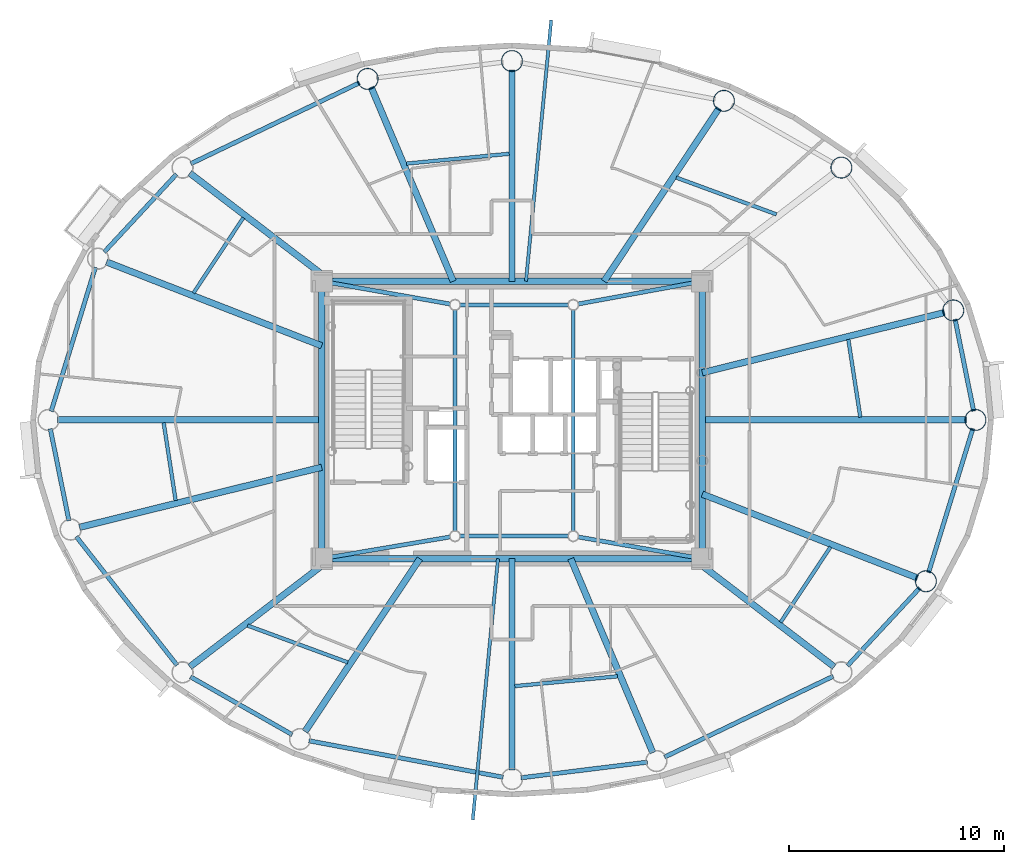
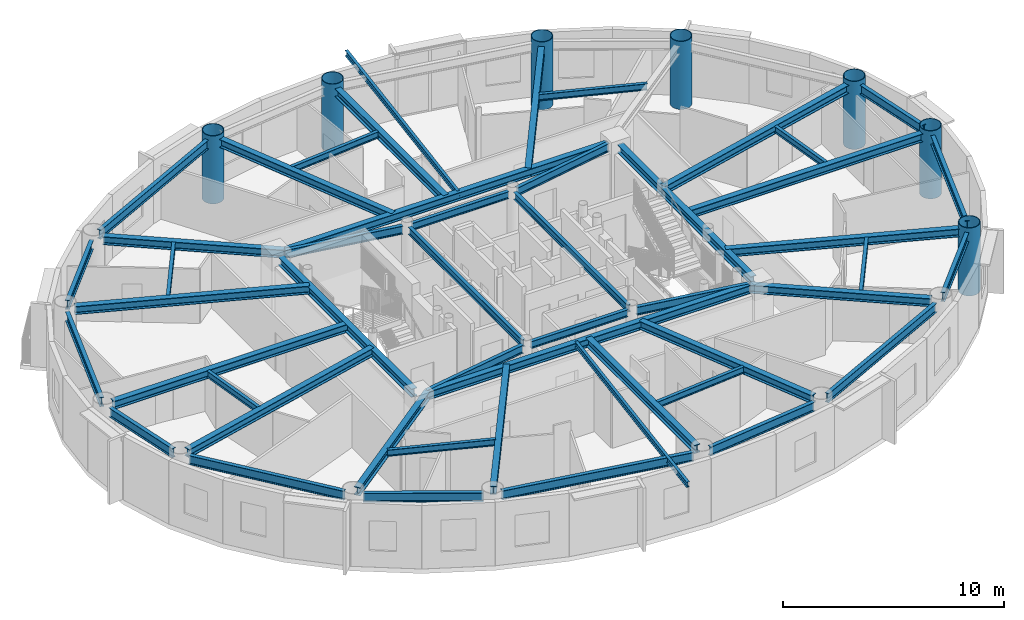
# One storey, part 2 of 17: 49 beams, 7 columns.
"""IFC4 building model written with IfcOpenShell, lengths in metres."""

from ifc_helpers import new_model, si_unit, direction, frame, origin, origin_2d, place, context, subcontext, project, spatial, hollow_circle, i_section, extrude, material, material_profile, profile_set, type_object, element, save


model = new_model("IFC4")

# Units and contexts
model_context = context("Model", 3, precision=1e-05, world=origin(), true_north=direction((0.0, 1.0)))
body_context = subcontext(model_context, "Body", "Model", "MODEL_VIEW")
ifc_project = project(units=[si_unit("LENGTHUNIT", "METRE"), si_unit("AREAUNIT", "SQUARE_METRE"), si_unit("VOLUMEUNIT", "CUBIC_METRE"), si_unit("PLANEANGLEUNIT", "RADIAN"), si_unit("MASSUNIT", "GRAM", prefix="KILO")], contexts=[model_context])

# Site, building, storey
site_placement = place(None, origin())
site = spatial("IfcSite", under=ifc_project, at=site_placement, CompositionType="ELEMENT")
building_placement = place(site_placement, origin())
building = spatial("IfcBuilding", under=site, at=building_placement, Name="Linh Dai School and Residence Tower", CompositionType="ELEMENT")
storey_placement = place(building_placement, frame((0.0, 0.0, 284.25)))
storey = spatial("IfcBuildingStorey", under=building, at=storey_placement, Name="L70", CompositionType="ELEMENT", Elevation=284.25)

# Columns
ifc_material = material(Name="Structural Steel S355JR", Category="steel")
ifc_material_profile_1 = material_profile(ifc_material, hollow_circle(Radius=0.5, WallThickness=0.031982421875, at=origin_2d()), Name="CHS 1000x32")
ifc_profile_set_1 = profile_set([ifc_material_profile_1], Name="Structural Steel S355JR")
column_type = type_object("IfcColumnType", Name="COL-MC6", PredefinedType="COLUMN", material=ifc_profile_set_1)
for number, where, z_axis, x_axis, name in (
    (1, (57.550048828125, 27.0, 0.0), (0.0, 0.0, 1.0), (1.0, 0.0, 0.0), "L70 Perimeter CFT Mega-Column MC01"),
    (2, (56.5185546875, 32.094482421875, 0.0), (0.0, 0.0, 1.0), (1.0, 0.0, 0.0), "L70 Perimeter CFT Mega-Column MC02"),
    (3, (51.315185546875, 38.7333984375, 0.0), (0.0, 0.0, 1.0), (1.0, 0.0, 0.0), "L70 Perimeter CFT Mega-Column MC03"),
    (4, (45.8544921875, 41.8388671875, 0.0), (0.0, 0.0, 1.0), (1.0, 0.0, 0.0), "L70 Perimeter CFT Mega-Column MC04"),
    (5, (36.0, 43.68994140625, 0.0), (0.0, 0.0, 1.0), (1.0, 0.0, 0.0), "L70 Perimeter CFT Mega-Column MC05"),
    (6, (29.28759765625, 42.857666015625, 0.0), (0.0, 0.0, 1.0), (1.0, 0.0, 0.0), "L70 Perimeter CFT Mega-Column MC06"),
    (7, (55.24609375, 19.50048828125, 0.0), (0.0, 0.0, 1.0), (1.0, 0.0, 0.0), "L70 Perimeter CFT Mega-Column MC16"),
):
    element("IfcColumn", number, at=place(storey_placement, frame(where, z_axis=z_axis, x_axis=x_axis)), inside=storey, type_object=column_type, Name=name, PredefinedType="COLUMN", context=body_context, shape_type="SweptSolid", body=[
        extrude(hollow_circle(Radius=0.5, WallThickness=0.031982421875, at=origin_2d()), origin(), (0.0, 0.0, 1.0), 3.75),
    ])

# Beams
ifc_material_profile_2 = material_profile(ifc_material, i_section(OverallWidth=0.14990234375, OverallDepth=0.300048828125, WebThickness=0.007080078125, FlangeThickness=0.0107421875, at=origin_2d()), Name="IPE 300")
ifc_profile_set_2 = profile_set([ifc_material_profile_2], Name="Structural Steel S355JR")
beam_type_1 = type_object("IfcBeamType", Name="BM-BALC-CANT", PredefinedType="BEAM", material=ifc_profile_set_2)
for number, where, z_axis, x_axis, name in (
    (8, (36.650146484375, 33.449951171875, 3.35009765625), (0.09620136859, 0.995361892319, 0.0), (-0.995361892319, 0.09620136859, 0.0), "L71 Balcony Continuous Cantilever Beam 10"),
    (9, (35.349853515625, 20.550048828125, 3.35009765625), (-0.09620136859, -0.995361892319, 0.0), (0.995361892319, -0.09620136859, 0.0), "L71 Balcony Continuous Cantilever Beam 30"),
):
    element("IfcBeam", number, at=place(storey_placement, frame(where, z_axis=z_axis, x_axis=x_axis)), inside=storey, type_object=beam_type_1, Name=name, PredefinedType="BEAM", context=body_context, shape_type="SweptSolid", body=[
        extrude(i_section(OverallWidth=0.14990234375, OverallDepth=0.300048828125, WebThickness=0.007080078125, FlangeThickness=0.0107421875, at=origin_2d()), origin(), (0.0, 0.0, 1.0), 12.19677734375),
    ])
ifc_material_profile_3 = material_profile(ifc_material, i_section(OverallWidth=0.199951171875, OverallDepth=0.5, WebThickness=0.01025390625, FlangeThickness=0.01611328125, FilletRadius=0.02099609375, at=origin_2d()), Name="IPE 500")
ifc_profile_set_3 = profile_set([ifc_material_profile_3], Name="Structural Steel S355JR")
beam_type_2 = type_object("IfcBeamType", Name="BM-RB50", PredefinedType="BEAM", material=ifc_profile_set_3)
beam_1_placement = place(storey_placement, frame((57.466552734375, 27.41162109375, 3.25), z_axis=(-0.198442801529, 0.980112470343, 0.0), x_axis=(-0.980112470343, -0.198442801529, 0.0)))
element("IfcBeam", 10, at=beam_1_placement, inside=storey, type_object=beam_type_2, Name="L70 Perimeter Elliptical Ring Beam 01", PredefinedType="BEAM", context=body_context, shape_type="SweptSolid", body=[
    extrude(i_section(OverallWidth=0.199951171875, OverallDepth=0.5, WebThickness=0.01025390625, FlangeThickness=0.01611328125, FilletRadius=0.02099609375, at=origin_2d()), origin(), (0.0, 0.0, 1.0), 4.357666015625),
])
beam_2_placement = place(storey_placement, frame((28.908935546875, 42.67626953125, 3.25), z_axis=(-0.901728757887, -0.4323022637, 0.0), x_axis=(0.4323022637, -0.901728757887, 0.0)))
element("IfcBeam", 11, at=beam_2_placement, inside=storey, type_object=beam_type_2, Name="L70 Perimeter Elliptical Ring Beam 06", PredefinedType="BEAM", context=body_context, shape_type="SweptSolid", body=[
    extrude(i_section(OverallWidth=0.199951171875, OverallDepth=0.5, WebThickness=0.01025390625, FlangeThickness=0.01611328125, FilletRadius=0.02099609375, at=origin_2d()), origin(), (0.0, 0.0, 1.0), 8.700439453125),
])
beam_3_placement = place(storey_placement, frame((20.399169921875, 38.425537109375, 3.25), z_axis=(-0.680415064526, -0.7328269509, 0.0), x_axis=(0.7328269509, -0.680415064526, 0.0)))
element("IfcBeam", 12, at=beam_3_placement, inside=storey, type_object=beam_type_2, Name="L70 Perimeter Elliptical Ring Beam 07", PredefinedType="BEAM", context=body_context, shape_type="SweptSolid", body=[
    extrude(i_section(OverallWidth=0.199951171875, OverallDepth=0.5, WebThickness=0.01025390625, FlangeThickness=0.01611328125, FilletRadius=0.02099609375, at=origin_2d()), origin(), (0.0, 0.0, 1.0), 4.9375),
])
beam_4_placement = place(storey_placement, frame((16.630615234375, 34.097900390625, 3.25), z_axis=(-0.293681749834, -0.955903253376, 0.0), x_axis=(0.955903253376, -0.293681749834, 0.0)))
element("IfcBeam", 13, at=beam_4_placement, inside=storey, type_object=beam_type_2, Name="L70 Perimeter Elliptical Ring Beam 08", PredefinedType="BEAM", context=body_context, shape_type="SweptSolid", body=[
    extrude(i_section(OverallWidth=0.199951171875, OverallDepth=0.5, WebThickness=0.01025390625, FlangeThickness=0.01611328125, FilletRadius=0.02099609375, at=origin_2d()), origin(), (0.0, 0.0, 1.0), 7.00537109375),
])
beam_5_placement = place(storey_placement, frame((14.533447265625, 26.58837890625, 3.25), z_axis=(0.198442801529, -0.980112470343, 0.0), x_axis=(0.980112470343, 0.198442801529, 0.0)))
element("IfcBeam", 14, at=beam_5_placement, inside=storey, type_object=beam_type_2, Name="L70 Perimeter Elliptical Ring Beam 09", PredefinedType="BEAM", context=body_context, shape_type="SweptSolid", body=[
    extrude(i_section(OverallWidth=0.199951171875, OverallDepth=0.5, WebThickness=0.01025390625, FlangeThickness=0.01611328125, FilletRadius=0.02099609375, at=origin_2d()), origin(), (0.0, 0.0, 1.0), 4.357666015625),
])
beam_6_placement = place(storey_placement, frame((15.740478515625, 21.574951171875, 3.25), z_axis=(0.616882739554, -0.787055071542, 0.0), x_axis=(0.787055071542, 0.616882739554, 0.0)))
element("IfcBeam", 15, at=beam_6_placement, inside=storey, type_object=beam_type_2, Name="L70 Perimeter Elliptical Ring Beam 10", PredefinedType="BEAM", context=body_context, shape_type="SweptSolid", body=[
    extrude(i_section(OverallWidth=0.199951171875, OverallDepth=0.5, WebThickness=0.01025390625, FlangeThickness=0.01611328125, FilletRadius=0.02099609375, at=origin_2d()), origin(), (0.0, 0.0, 1.0), 7.59521484375),
])
beam_7_placement = place(storey_placement, frame((21.050048828125, 15.05908203125, 3.25), z_axis=(0.869265548778, -0.494345431564, 0.0), x_axis=(0.494345431564, 0.869265548778, 0.0)))
element("IfcBeam", 16, at=beam_7_placement, inside=storey, type_object=beam_type_2, Name="L70 Perimeter Elliptical Ring Beam 11", PredefinedType="BEAM", context=body_context, shape_type="SweptSolid", body=[
    extrude(i_section(OverallWidth=0.199951171875, OverallDepth=0.5, WebThickness=0.01025390625, FlangeThickness=0.01611328125, FilletRadius=0.02099609375, at=origin_2d()), origin(), (0.0, 0.0, 1.0), 5.44189453125),
])
beam_8_placement = place(storey_placement, frame((26.558349609375, 12.083740234375, 3.25), z_axis=(0.982805333306, -0.184644731378, 0.0), x_axis=(0.184644731378, 0.982805333306, 0.0)))
element("IfcBeam", 17, at=beam_8_placement, inside=storey, type_object=beam_type_2, Name="L70 Perimeter Elliptical Ring Beam 12", PredefinedType="BEAM", context=body_context, shape_type="SweptSolid", body=[
    extrude(i_section(OverallWidth=0.199951171875, OverallDepth=0.5, WebThickness=0.01025390625, FlangeThickness=0.01611328125, FilletRadius=0.02099609375, at=origin_2d()), origin(), (0.0, 0.0, 1.0), 9.186767578125),
])
beam_9_placement = place(storey_placement, frame((36.416748046875, 10.361572265625, 3.25), z_axis=(0.992399134443, 0.123060789678, 0.0), x_axis=(-0.123060789678, 0.992399134443, 0.0)))
element("IfcBeam", 18, at=beam_9_placement, inside=storey, type_object=beam_type_2, Name="L70 Perimeter Elliptical Ring Beam 13", PredefinedType="BEAM", context=body_context, shape_type="SweptSolid", body=[
    extrude(i_section(OverallWidth=0.199951171875, OverallDepth=0.5, WebThickness=0.01025390625, FlangeThickness=0.01611328125, FilletRadius=0.02099609375, at=origin_2d()), origin(), (0.0, 0.0, 1.0), 5.923828125),
])
beam_10_placement = place(storey_placement, frame((43.091064453125, 11.32373046875, 3.25), z_axis=(0.901728757887, 0.4323022637, 0.0), x_axis=(-0.4323022637, 0.901728757887, 0.0)))
element("IfcBeam", 19, at=beam_10_placement, inside=storey, type_object=beam_type_2, Name="L70 Perimeter Elliptical Ring Beam 14", PredefinedType="BEAM", context=body_context, shape_type="SweptSolid", body=[
    extrude(i_section(OverallWidth=0.199951171875, OverallDepth=0.5, WebThickness=0.01025390625, FlangeThickness=0.01611328125, FilletRadius=0.02099609375, at=origin_2d()), origin(), (0.0, 0.0, 1.0), 8.700439453125),
])
beam_11_placement = place(storey_placement, frame((51.600830078125, 15.574462890625, 3.25), z_axis=(0.680415064526, 0.7328269509, 0.0), x_axis=(-0.7328269509, 0.680415064526, 0.0)))
element("IfcBeam", 20, at=beam_11_placement, inside=storey, type_object=beam_type_2, Name="L70 Perimeter Elliptical Ring Beam 15", PredefinedType="BEAM", context=body_context, shape_type="SweptSolid", body=[
    extrude(i_section(OverallWidth=0.199951171875, OverallDepth=0.5, WebThickness=0.01025390625, FlangeThickness=0.01611328125, FilletRadius=0.02099609375, at=origin_2d()), origin(), (0.0, 0.0, 1.0), 4.9375),
])
beam_12_placement = place(storey_placement, frame((55.369384765625, 19.902099609375, 3.25), z_axis=(0.293681749834, 0.955903253376, 0.0), x_axis=(-0.955903253376, 0.293681749834, 0.0)))
element("IfcBeam", 21, at=beam_12_placement, inside=storey, type_object=beam_type_2, Name="L70 Perimeter Elliptical Ring Beam 16", PredefinedType="BEAM", context=body_context, shape_type="SweptSolid", body=[
    extrude(i_section(OverallWidth=0.199951171875, OverallDepth=0.5, WebThickness=0.01025390625, FlangeThickness=0.01611328125, FilletRadius=0.02099609375, at=origin_2d()), origin(), (0.0, 0.0, 1.0), 7.00537109375),
])
ifc_material_profile_4 = material_profile(ifc_material, i_section(OverallWidth=0.300048828125, OverallDepth=0.449951171875, WebThickness=0.013916015625, FlangeThickness=0.02587890625, FilletRadius=0.027099609375, at=origin_2d()), Name="HEB 450")
ifc_profile_set_4 = profile_set([ifc_material_profile_4], Name="Structural Steel S355JR")
beam_type_3 = type_object("IfcBeamType", Name="BM-RG45", PredefinedType="BEAM", material=ifc_profile_set_4)
beam_13_placement = place(storey_placement, frame((27.570068359375, 20.550048828125, 3.27490234375), z_axis=(1.0, 0.0, 0.0), x_axis=(0.0, 1.0, 0.0)))
element("IfcBeam", 22, at=beam_13_placement, inside=storey, type_object=beam_type_3, Name="L70 Core Perimeter Coupling Girder 1", PredefinedType="BEAM", context=body_context, shape_type="SweptSolid", body=[
    extrude(i_section(OverallWidth=0.300048828125, OverallDepth=0.449951171875, WebThickness=0.013916015625, FlangeThickness=0.02587890625, FilletRadius=0.027099609375, at=origin_2d()), origin(), (0.0, 0.0, 1.0), 16.85986328125),
])
beam_14_placement = place(storey_placement, frame((44.85009765625, 20.969970703125, 3.27490234375), z_axis=(0.0, 1.0, 0.0), x_axis=(-1.0, 0.0, 0.0)))
element("IfcBeam", 23, at=beam_14_placement, inside=storey, type_object=beam_type_3, Name="L70 Core Perimeter Coupling Girder 2", PredefinedType="BEAM", context=body_context, shape_type="SweptSolid", body=[
    extrude(i_section(OverallWidth=0.300048828125, OverallDepth=0.449951171875, WebThickness=0.013916015625, FlangeThickness=0.02587890625, FilletRadius=0.027099609375, at=origin_2d()), origin(), (0.0, 0.0, 1.0), 12.06005859375),
])
beam_15_placement = place(storey_placement, frame((44.429931640625, 33.449951171875, 3.27490234375), z_axis=(-1.0, 0.0, 0.0), x_axis=(0.0, -1.0, 0.0)))
element("IfcBeam", 24, at=beam_15_placement, inside=storey, type_object=beam_type_3, Name="L70 Core Perimeter Coupling Girder 3", PredefinedType="BEAM", context=body_context, shape_type="SweptSolid", body=[
    extrude(i_section(OverallWidth=0.300048828125, OverallDepth=0.449951171875, WebThickness=0.013916015625, FlangeThickness=0.02587890625, FilletRadius=0.027099609375, at=origin_2d()), origin(), (0.0, 0.0, 1.0), 16.85986328125),
])
beam_16_placement = place(storey_placement, frame((27.14990234375, 33.030029296875, 3.27490234375), z_axis=(0.0, -1.0, 0.0), x_axis=(1.0, 0.0, 0.0)))
element("IfcBeam", 25, at=beam_16_placement, inside=storey, type_object=beam_type_3, Name="L70 Core Perimeter Coupling Girder 4", PredefinedType="BEAM", context=body_context, shape_type="SweptSolid", body=[
    extrude(i_section(OverallWidth=0.300048828125, OverallDepth=0.449951171875, WebThickness=0.013916015625, FlangeThickness=0.02587890625, FilletRadius=0.027099609375, at=origin_2d()), origin(), (0.0, 0.0, 1.0), 12.06005859375),
])
beam_17_placement = place(storey_placement, frame((44.85009765625, 27.0, 3.27490234375), z_axis=(1.0, 0.0, 0.0), x_axis=(0.0, 1.0, 0.0)))
element("IfcBeam", 26, at=beam_17_placement, inside=storey, type_object=beam_type_3, Name="L70 Primary Radial Floor Girder 01", PredefinedType="BEAM", context=body_context, shape_type="SweptSolid", body=[
    extrude(i_section(OverallWidth=0.300048828125, OverallDepth=0.449951171875, WebThickness=0.013916015625, FlangeThickness=0.02587890625, FilletRadius=0.027099609375, at=origin_2d()), origin(), (0.0, 0.0, 1.0), 12.27978515625),
])
beam_18_placement = place(storey_placement, frame((44.85009765625, 29.197265625, 3.27490234375), z_axis=(0.970532368701, 0.240970789315, 0.0), x_axis=(-0.240970789315, 0.970532368701, 0.0)))
element("IfcBeam", 27, at=beam_18_placement, inside=storey, type_object=beam_type_3, Name="L70 Primary Radial Floor Girder 02", PredefinedType="BEAM", context=body_context, shape_type="SweptSolid", body=[
    extrude(i_section(OverallWidth=0.300048828125, OverallDepth=0.449951171875, WebThickness=0.013916015625, FlangeThickness=0.02587890625, FilletRadius=0.027099609375, at=origin_2d()), origin(), (0.0, 0.0, 1.0), 11.6025390625),
])
beam_19_placement = place(storey_placement, frame((40.283447265625, 33.449951171875, 3.27490234375), z_axis=(0.553210566646, 0.833041456922, 0.0), x_axis=(-0.833041456922, 0.553210566646, 0.0)))
element("IfcBeam", 28, at=beam_19_placement, inside=storey, type_object=beam_type_3, Name="L70 Primary Radial Floor Girder 04", PredefinedType="BEAM", context=body_context, shape_type="SweptSolid", body=[
    extrude(i_section(OverallWidth=0.300048828125, OverallDepth=0.449951171875, WebThickness=0.013916015625, FlangeThickness=0.02587890625, FilletRadius=0.027099609375, at=origin_2d()), origin(), (0.0, 0.0, 1.0), 9.650146484375),
])
beam_20_placement = place(storey_placement, frame((36.0, 33.449951171875, 3.27490234375), z_axis=(0.0, 1.0, 0.0), x_axis=(-1.0, 0.0, 0.0)))
element("IfcBeam", 29, at=beam_20_placement, inside=storey, type_object=beam_type_3, Name="L70 Primary Radial Floor Girder 05", PredefinedType="BEAM", context=body_context, shape_type="SweptSolid", body=[
    extrude(i_section(OverallWidth=0.300048828125, OverallDepth=0.449951171875, WebThickness=0.013916015625, FlangeThickness=0.02587890625, FilletRadius=0.027099609375, at=origin_2d()), origin(), (0.0, 0.0, 1.0), 9.820068359375),
])
beam_21_placement = place(storey_placement, frame((33.269775390625, 33.449951171875, 3.27490234375), z_axis=(-0.389794463678, 0.920901881899, 0.0), x_axis=(-0.920901881899, -0.389794463678, 0.0)))
element("IfcBeam", 30, at=beam_21_placement, inside=storey, type_object=beam_type_3, Name="L70 Primary Radial Floor Girder 06", PredefinedType="BEAM", context=body_context, shape_type="SweptSolid", body=[
    extrude(i_section(OverallWidth=0.300048828125, OverallDepth=0.449951171875, WebThickness=0.013916015625, FlangeThickness=0.02587890625, FilletRadius=0.027099609375, at=origin_2d()), origin(), (0.0, 0.0, 1.0), 9.7958984375),
])
beam_22_placement = place(storey_placement, frame((27.5810546875, 33.449951171875, 3.27490234375), z_axis=(-0.793802616583, 0.608175472956, 0.0), x_axis=(-0.608175472956, -0.793802616583, 0.0)))
element("IfcBeam", 31, at=beam_22_placement, inside=storey, type_object=beam_type_3, Name="L70 Primary Radial Floor Girder 07", PredefinedType="BEAM", context=body_context, shape_type="SweptSolid", body=[
    extrude(i_section(OverallWidth=0.300048828125, OverallDepth=0.449951171875, WebThickness=0.013916015625, FlangeThickness=0.02587890625, FilletRadius=0.027099609375, at=origin_2d()), origin(), (0.0, 0.0, 1.0), 8.267578125),
])
beam_23_placement = place(storey_placement, frame((27.14990234375, 30.448486328125, 3.27490234375), z_axis=(-0.931760809838, 0.363072710693, 0.0), x_axis=(-0.363072710693, -0.931760809838, 0.0)))
element("IfcBeam", 32, at=beam_23_placement, inside=storey, type_object=beam_type_3, Name="L70 Primary Radial Floor Girder 08", PredefinedType="BEAM", context=body_context, shape_type="SweptSolid", body=[
    extrude(i_section(OverallWidth=0.300048828125, OverallDepth=0.449951171875, WebThickness=0.013916015625, FlangeThickness=0.02587890625, FilletRadius=0.027099609375, at=origin_2d()), origin(), (0.0, 0.0, 1.0), 10.7373046875),
])
beam_24_placement = place(storey_placement, frame((27.14990234375, 27.0, 3.27490234375), z_axis=(-1.0, 0.0, 0.0), x_axis=(0.0, -1.0, 0.0)))
element("IfcBeam", 33, at=beam_24_placement, inside=storey, type_object=beam_type_3, Name="L70 Primary Radial Floor Girder 09", PredefinedType="BEAM", context=body_context, shape_type="SweptSolid", body=[
    extrude(i_section(OverallWidth=0.300048828125, OverallDepth=0.449951171875, WebThickness=0.013916015625, FlangeThickness=0.02587890625, FilletRadius=0.027099609375, at=origin_2d()), origin(), (0.0, 0.0, 1.0), 12.27978515625),
])
beam_25_placement = place(storey_placement, frame((27.14990234375, 24.802734375, 3.27490234375), z_axis=(-0.970532368701, -0.240970789315, 0.0), x_axis=(0.240970789315, -0.970532368701, 0.0)))
element("IfcBeam", 34, at=beam_25_placement, inside=storey, type_object=beam_type_3, Name="L70 Primary Radial Floor Girder 10", PredefinedType="BEAM", context=body_context, shape_type="SweptSolid", body=[
    extrude(i_section(OverallWidth=0.300048828125, OverallDepth=0.449951171875, WebThickness=0.013916015625, FlangeThickness=0.02587890625, FilletRadius=0.027099609375, at=origin_2d()), origin(), (0.0, 0.0, 1.0), 11.6025390625),
])
beam_26_placement = place(storey_placement, frame((27.5810546875, 20.550048828125, 3.27490234375), z_axis=(-0.793802616583, -0.608175472956, 0.0), x_axis=(0.608175472956, -0.793802616583, 0.0)))
element("IfcBeam", 35, at=beam_26_placement, inside=storey, type_object=beam_type_3, Name="L70 Primary Radial Floor Girder 11", PredefinedType="BEAM", context=body_context, shape_type="SweptSolid", body=[
    extrude(i_section(OverallWidth=0.300048828125, OverallDepth=0.449951171875, WebThickness=0.013916015625, FlangeThickness=0.02587890625, FilletRadius=0.027099609375, at=origin_2d()), origin(), (0.0, 0.0, 1.0), 8.267578125),
])
beam_27_placement = place(storey_placement, frame((31.716552734375, 20.550048828125, 3.27490234375), z_axis=(-0.553210566646, -0.833041456922, 0.0), x_axis=(0.833041456922, -0.553210566646, 0.0)))
element("IfcBeam", 36, at=beam_27_placement, inside=storey, type_object=beam_type_3, Name="L70 Primary Radial Floor Girder 12", PredefinedType="BEAM", context=body_context, shape_type="SweptSolid", body=[
    extrude(i_section(OverallWidth=0.300048828125, OverallDepth=0.449951171875, WebThickness=0.013916015625, FlangeThickness=0.02587890625, FilletRadius=0.027099609375, at=origin_2d()), origin(), (0.0, 0.0, 1.0), 9.650146484375),
])
beam_28_placement = place(storey_placement, frame((36.0, 20.550048828125, 3.27490234375), z_axis=(0.0, -1.0, 0.0), x_axis=(1.0, 0.0, 0.0)))
element("IfcBeam", 37, at=beam_28_placement, inside=storey, type_object=beam_type_3, Name="L70 Primary Radial Floor Girder 13", PredefinedType="BEAM", context=body_context, shape_type="SweptSolid", body=[
    extrude(i_section(OverallWidth=0.300048828125, OverallDepth=0.449951171875, WebThickness=0.013916015625, FlangeThickness=0.02587890625, FilletRadius=0.027099609375, at=origin_2d()), origin(), (0.0, 0.0, 1.0), 9.820068359375),
])
beam_29_placement = place(storey_placement, frame((38.730224609375, 20.550048828125, 3.27490234375), z_axis=(0.389794463678, -0.920901881899, 0.0), x_axis=(0.920901881899, 0.389794463678, 0.0)))
element("IfcBeam", 38, at=beam_29_placement, inside=storey, type_object=beam_type_3, Name="L70 Primary Radial Floor Girder 14", PredefinedType="BEAM", context=body_context, shape_type="SweptSolid", body=[
    extrude(i_section(OverallWidth=0.300048828125, OverallDepth=0.449951171875, WebThickness=0.013916015625, FlangeThickness=0.02587890625, FilletRadius=0.027099609375, at=origin_2d()), origin(), (0.0, 0.0, 1.0), 9.7958984375),
])
beam_30_placement = place(storey_placement, frame((44.4189453125, 20.550048828125, 3.27490234375), z_axis=(0.793802616583, -0.608175472956, 0.0), x_axis=(0.608175472956, 0.793802616583, 0.0)))
element("IfcBeam", 39, at=beam_30_placement, inside=storey, type_object=beam_type_3, Name="L70 Primary Radial Floor Girder 15", PredefinedType="BEAM", context=body_context, shape_type="SweptSolid", body=[
    extrude(i_section(OverallWidth=0.300048828125, OverallDepth=0.449951171875, WebThickness=0.013916015625, FlangeThickness=0.02587890625, FilletRadius=0.027099609375, at=origin_2d()), origin(), (0.0, 0.0, 1.0), 8.267578125),
])
beam_31_placement = place(storey_placement, frame((44.85009765625, 23.551513671875, 3.27490234375), z_axis=(0.931760809838, -0.363072710693, 0.0), x_axis=(0.363072710693, 0.931760809838, 0.0)))
element("IfcBeam", 40, at=beam_31_placement, inside=storey, type_object=beam_type_3, Name="L70 Primary Radial Floor Girder 16", PredefinedType="BEAM", context=body_context, shape_type="SweptSolid", body=[
    extrude(i_section(OverallWidth=0.300048828125, OverallDepth=0.449951171875, WebThickness=0.013916015625, FlangeThickness=0.02587890625, FilletRadius=0.027099609375, at=origin_2d()), origin(), (0.0, 0.0, 1.0), 10.7373046875),
])
ifc_material_profile_5 = material_profile(ifc_material, i_section(OverallWidth=0.169921875, OverallDepth=0.360107421875, WebThickness=0.008056640625, FlangeThickness=0.0126953125, FilletRadius=0.01806640625, at=origin_2d()), Name="IPE 360")
ifc_profile_set_5 = profile_set([ifc_material_profile_5], Name="Structural Steel S355JR")
beam_type_4 = type_object("IfcBeamType", Name="BM-SB36", PredefinedType="BEAM", material=ifc_profile_set_5)
beam_32_placement = place(storey_placement, frame((52.1962890625, 27.12841796875, 3.320068359375), z_axis=(-0.152477826599, 0.988306891808, 0.0), x_axis=(-0.988306891808, -0.152477826599, 0.0)))
element("IfcBeam", 41, at=beam_32_placement, inside=storey, type_object=beam_type_4, Name="L70 Secondary Circumferential Floor Beam 01", PredefinedType="BEAM", context=body_context, shape_type="SweptSolid", body=[
    extrude(i_section(OverallWidth=0.169921875, OverallDepth=0.360107421875, WebThickness=0.008056640625, FlangeThickness=0.0126953125, FilletRadius=0.01806640625, at=origin_2d()), origin(), (0.0, 0.0, 1.0), 3.663330078125),
])
beam_33_placement = place(storey_placement, frame((48.296630859375, 36.55908203125, 3.320068359375), z_axis=(-0.93867853021, 0.344793585964, 0.0), x_axis=(-0.344793585964, -0.93867853021, 0.0)))
element("IfcBeam", 42, at=beam_33_placement, inside=storey, type_object=beam_type_4, Name="L70 Secondary Circumferential Floor Beam 02", PredefinedType="BEAM", context=body_context, shape_type="SweptSolid", body=[
    extrude(i_section(OverallWidth=0.169921875, OverallDepth=0.360107421875, WebThickness=0.008056640625, FlangeThickness=0.0126953125, FilletRadius=0.01806640625, at=origin_2d()), origin(), (0.0, 0.0, 1.0), 4.96435546875),
])
beam_34_placement = place(storey_placement, frame((35.87060546875, 39.376708984375, 3.320068359375), z_axis=(-0.995447598318, -0.09531043491, 0.0), x_axis=(0.09531043491, -0.995447598318, 0.0)))
element("IfcBeam", 43, at=beam_34_placement, inside=storey, type_object=beam_type_4, Name="L70 Secondary Circumferential Floor Beam 03", PredefinedType="BEAM", context=body_context, shape_type="SweptSolid", body=[
    extrude(i_section(OverallWidth=0.169921875, OverallDepth=0.360107421875, WebThickness=0.008056640625, FlangeThickness=0.0126953125, FilletRadius=0.01806640625, at=origin_2d()), origin(), (0.0, 0.0, 1.0), 4.802978515625),
])
beam_35_placement = place(storey_placement, frame((23.509521484375, 36.406005859375, 3.320068359375), z_axis=(-0.552120293776, -0.833764463863, 0.0), x_axis=(0.833764463863, -0.552120293776, 0.0)))
element("IfcBeam", 44, at=beam_35_placement, inside=storey, type_object=beam_type_4, Name="L70 Secondary Circumferential Floor Beam 04", PredefinedType="BEAM", context=body_context, shape_type="SweptSolid", body=[
    extrude(i_section(OverallWidth=0.169921875, OverallDepth=0.360107421875, WebThickness=0.008056640625, FlangeThickness=0.0126953125, FilletRadius=0.01806640625, at=origin_2d()), origin(), (0.0, 0.0, 1.0), 4.197265625),
])
beam_36_placement = place(storey_placement, frame((19.8037109375, 26.87158203125, 3.320068359375), z_axis=(0.152477826599, -0.988306891808, 0.0), x_axis=(0.988306891808, 0.152477826599, 0.0)))
element("IfcBeam", 45, at=beam_36_placement, inside=storey, type_object=beam_type_4, Name="L70 Secondary Circumferential Floor Beam 05", PredefinedType="BEAM", context=body_context, shape_type="SweptSolid", body=[
    extrude(i_section(OverallWidth=0.169921875, OverallDepth=0.360107421875, WebThickness=0.008056640625, FlangeThickness=0.0126953125, FilletRadius=0.01806640625, at=origin_2d()), origin(), (0.0, 0.0, 1.0), 3.663330078125),
])
beam_37_placement = place(storey_placement, frame((23.703369140625, 17.44091796875, 3.320068359375), z_axis=(0.93867853021, -0.344793585964, 0.0), x_axis=(0.344793585964, 0.93867853021, 0.0)))
element("IfcBeam", 46, at=beam_37_placement, inside=storey, type_object=beam_type_4, Name="L70 Secondary Circumferential Floor Beam 06", PredefinedType="BEAM", context=body_context, shape_type="SweptSolid", body=[
    extrude(i_section(OverallWidth=0.169921875, OverallDepth=0.360107421875, WebThickness=0.008056640625, FlangeThickness=0.0126953125, FilletRadius=0.01806640625, at=origin_2d()), origin(), (0.0, 0.0, 1.0), 4.96435546875),
])
beam_38_placement = place(storey_placement, frame((36.12939453125, 14.623291015625, 3.320068359375), z_axis=(0.995447598318, 0.09531043491, 0.0), x_axis=(-0.09531043491, 0.995447598318, 0.0)))
element("IfcBeam", 47, at=beam_38_placement, inside=storey, type_object=beam_type_4, Name="L70 Secondary Circumferential Floor Beam 07", PredefinedType="BEAM", context=body_context, shape_type="SweptSolid", body=[
    extrude(i_section(OverallWidth=0.169921875, OverallDepth=0.360107421875, WebThickness=0.008056640625, FlangeThickness=0.0126953125, FilletRadius=0.01806640625, at=origin_2d()), origin(), (0.0, 0.0, 1.0), 4.802978515625),
])
beam_39_placement = place(storey_placement, frame((48.490478515625, 17.593994140625, 3.320068359375), z_axis=(0.552120293776, 0.833764463863, 0.0), x_axis=(-0.833764463863, 0.552120293776, 0.0)))
element("IfcBeam", 48, at=beam_39_placement, inside=storey, type_object=beam_type_4, Name="L70 Secondary Circumferential Floor Beam 08", PredefinedType="BEAM", context=body_context, shape_type="SweptSolid", body=[
    extrude(i_section(OverallWidth=0.169921875, OverallDepth=0.360107421875, WebThickness=0.008056640625, FlangeThickness=0.0126953125, FilletRadius=0.01806640625, at=origin_2d()), origin(), (0.0, 0.0, 1.0), 4.197265625),
])
ifc_material_profile_6 = material_profile(ifc_material, i_section(OverallWidth=0.179931640625, OverallDepth=0.39990234375, WebThickness=0.008544921875, FlangeThickness=0.013427734375, FilletRadius=0.02099609375, at=origin_2d()), Name="IPE 400")
ifc_profile_set_6 = profile_set([ifc_material_profile_6], Name="Structural Steel S355JR")
beam_type_5 = type_object("IfcBeamType", Name="BM-SB40", PredefinedType="BEAM", material=ifc_profile_set_6)
beam_40_placement = place(storey_placement, frame((33.573974609375, 21.60009765625, 3.300048828125), z_axis=(1.0, 0.0, 0.0), x_axis=(0.0, 1.0, 0.0)))
element("IfcBeam", 49, at=beam_40_placement, inside=storey, type_object=beam_type_5, Name="L70 Core Mast Pier Tie Beam 1", PredefinedType="BEAM", context=body_context, shape_type="SweptSolid", body=[
    extrude(i_section(OverallWidth=0.179931640625, OverallDepth=0.39990234375, WebThickness=0.008544921875, FlangeThickness=0.013427734375, FilletRadius=0.02099609375, at=origin_2d()), origin(), (0.0, 0.0, 1.0), 5.052001953125),
])
beam_41_placement = place(storey_placement, frame((38.85009765625, 21.823974609375, 3.300048828125), z_axis=(0.0, 1.0, 0.0), x_axis=(-1.0, 0.0, 0.0)))
element("IfcBeam", 50, at=beam_41_placement, inside=storey, type_object=beam_type_5, Name="L70 Core Mast Pier Tie Beam 2", PredefinedType="BEAM", context=body_context, shape_type="SweptSolid", body=[
    extrude(i_section(OverallWidth=0.179931640625, OverallDepth=0.39990234375, WebThickness=0.008544921875, FlangeThickness=0.013427734375, FilletRadius=0.02099609375, at=origin_2d()), origin(), (0.0, 0.0, 1.0), 10.302001953125),
])
beam_42_placement = place(storey_placement, frame((38.6259765625, 32.35009765625, 3.300048828125), z_axis=(-1.0, 0.0, 0.0), x_axis=(0.0, -1.0, 0.0)))
element("IfcBeam", 51, at=beam_42_placement, inside=storey, type_object=beam_type_5, Name="L70 Core Mast Pier Tie Beam 3", PredefinedType="BEAM", context=body_context, shape_type="SweptSolid", body=[
    extrude(i_section(OverallWidth=0.179931640625, OverallDepth=0.39990234375, WebThickness=0.008544921875, FlangeThickness=0.013427734375, FilletRadius=0.02099609375, at=origin_2d()), origin(), (0.0, 0.0, 1.0), 5.052001953125),
])
beam_43_placement = place(storey_placement, frame((33.35009765625, 32.1259765625, 3.300048828125), z_axis=(0.0, -1.0, 0.0), x_axis=(1.0, 0.0, 0.0)))
element("IfcBeam", 52, at=beam_43_placement, inside=storey, type_object=beam_type_5, Name="L70 Core Mast Pier Tie Beam 4", PredefinedType="BEAM", context=body_context, shape_type="SweptSolid", body=[
    extrude(i_section(OverallWidth=0.179931640625, OverallDepth=0.39990234375, WebThickness=0.008544921875, FlangeThickness=0.013427734375, FilletRadius=0.02099609375, at=origin_2d()), origin(), (0.0, 0.0, 1.0), 10.302001953125),
])
ifc_material_profile_7 = material_profile(ifc_material, i_section(OverallWidth=0.18994140625, OverallDepth=0.449951171875, WebThickness=0.009521484375, FlangeThickness=0.0146484375, FilletRadius=0.02099609375, at=origin_2d()), Name="IPE 450")
ifc_profile_set_7 = profile_set([ifc_material_profile_7], Name="Structural Steel S355JR")
beam_type_6 = type_object("IfcBeamType", Name="BM-SB45", PredefinedType="BEAM", material=ifc_profile_set_7)
beam_44_placement = place(storey_placement, frame((27.564208984375, 20.6201171875, 3.27490234375), z_axis=(0.98596270559, 0.166965694638, 0.0), x_axis=(-0.166965694638, 0.98596270559, 0.0)))
element("IfcBeam", 53, at=beam_44_placement, inside=storey, type_object=beam_type_6, Name="L70 Core Corner-to-Mast Pier Beam 1", PredefinedType="BEAM", context=body_context, shape_type="SweptSolid", body=[
    extrude(i_section(OverallWidth=0.18994140625, OverallDepth=0.449951171875, WebThickness=0.009521484375, FlangeThickness=0.0146484375, FilletRadius=0.02099609375, at=origin_2d()), origin(), (0.0, 0.0, 1.0), 5.644287109375),
])
beam_45_placement = place(storey_placement, frame((44.436279296875, 20.622314453125, 3.27490234375), z_axis=(-0.985031608673, 0.17237380867, 0.0), x_axis=(-0.17237380867, -0.985031608673, 0.0)))
element("IfcBeam", 54, at=beam_45_placement, inside=storey, type_object=beam_type_6, Name="L70 Core Corner-to-Mast Pier Beam 2", PredefinedType="BEAM", context=body_context, shape_type="SweptSolid", body=[
    extrude(i_section(OverallWidth=0.18994140625, OverallDepth=0.449951171875, WebThickness=0.009521484375, FlangeThickness=0.0146484375, FilletRadius=0.02099609375, at=origin_2d()), origin(), (0.0, 0.0, 1.0), 5.447265625),
])
beam_46_placement = place(storey_placement, frame((44.436767578125, 33.374267578125, 3.27490234375), z_axis=(-0.983605366802, -0.180334362777, 0.0), x_axis=(0.180334362777, -0.983605366802, 0.0)))
element("IfcBeam", 55, at=beam_46_placement, inside=storey, type_object=beam_type_6, Name="L70 Core Corner-to-Mast Pier Beam 3", PredefinedType="BEAM", context=body_context, shape_type="SweptSolid", body=[
    extrude(i_section(OverallWidth=0.18994140625, OverallDepth=0.449951171875, WebThickness=0.009521484375, FlangeThickness=0.0146484375, FilletRadius=0.02099609375, at=origin_2d()), origin(), (0.0, 0.0, 1.0), 5.455810546875),
])
beam_47_placement = place(storey_placement, frame((27.5634765625, 33.376708984375, 3.27490234375), z_axis=(0.984621828197, -0.174699328672, 0.0), x_axis=(0.174699328672, 0.984621828197, 0.0)))
element("IfcBeam", 56, at=beam_47_placement, inside=storey, type_object=beam_type_6, Name="L70 Core Corner-to-Mast Pier Beam 4", PredefinedType="BEAM", context=body_context, shape_type="SweptSolid", body=[
    extrude(i_section(OverallWidth=0.18994140625, OverallDepth=0.449951171875, WebThickness=0.009521484375, FlangeThickness=0.0146484375, FilletRadius=0.02099609375, at=origin_2d()), origin(), (0.0, 0.0, 1.0), 5.65283203125),
])

save(model, "model.ifc")
